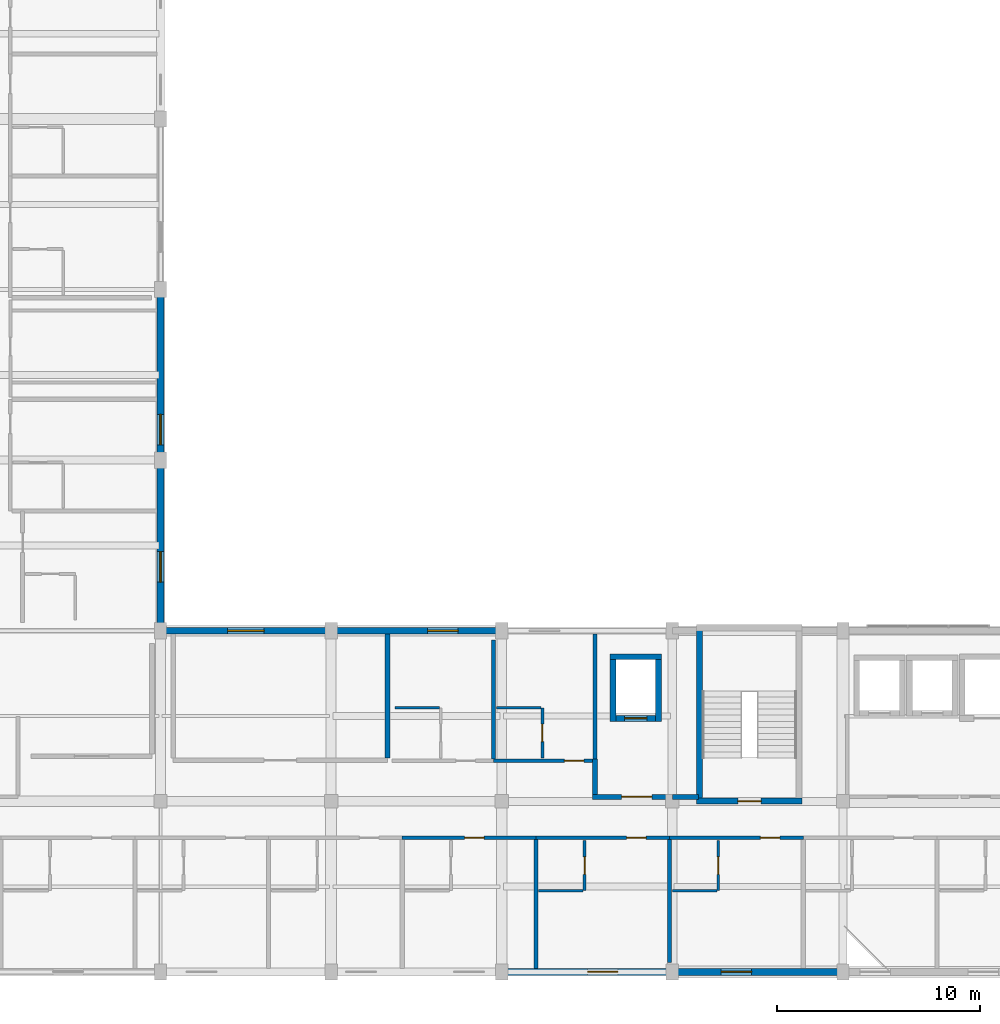
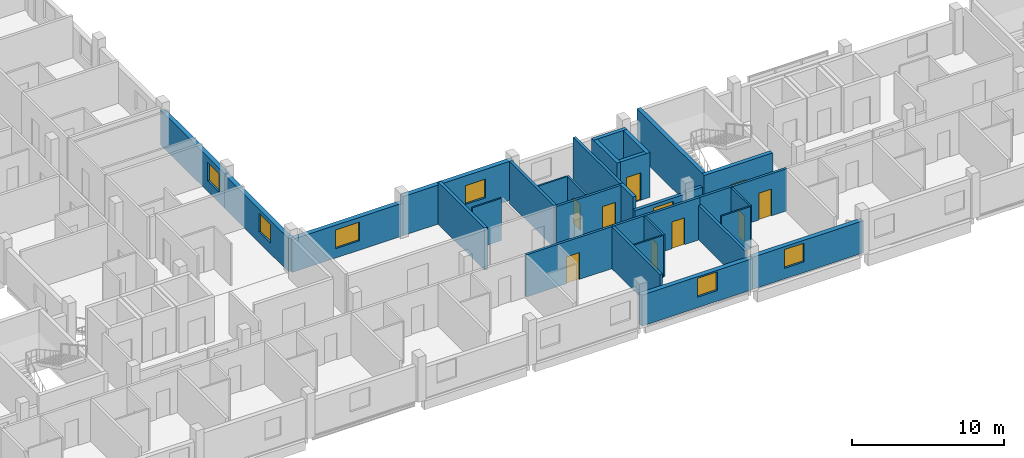
# One storey, part 15 of 26: 31 walls, 10 doors, 6 windows, 16 openings.
"""IFC4 building model written with IfcOpenShell, lengths in metres."""

from ifc_helpers import new_model, si_unit, derived_unit, direction, frame, frame_2d, origin, place, context, subcontext, project, spatial, rectangle, extrude, material, layer, layer_set, type_object, element, fill, save


model = new_model("IFC4")

# Units and contexts
model_context = context("Model", 3, precision=1e-05, world=origin(), true_north=direction((0.0, 1.0)))
body_context = subcontext(model_context, "Body", "Model", "MODEL_VIEW")
ifc_project = project(units=[si_unit("LENGTHUNIT", "METRE"), si_unit("AREAUNIT", "SQUARE_METRE"), si_unit("VOLUMEUNIT", "CUBIC_METRE"), si_unit("PLANEANGLEUNIT", "RADIAN"), si_unit("MASSUNIT", "GRAM", prefix="KILO"), derived_unit("THERMALTRANSMITTANCEUNIT", [(si_unit("POWERUNIT", "WATT"), 1), (si_unit("LENGTHUNIT", "METRE"), -2), (si_unit("THERMODYNAMICTEMPERATUREUNIT", "KELVIN"), -1)])], contexts=[model_context])

# Site, building, storey
site_placement = place(None, origin())
site = spatial("IfcSite", under=ifc_project, at=site_placement, CompositionType="ELEMENT")
building_placement = place(site_placement, origin())
building = spatial("IfcBuilding", under=site, at=building_placement, Name="Barrovel Congress Hotel", CompositionType="ELEMENT")
storey_placement = place(building_placement, frame((0.0, 0.0, 21.89990234375)))
storey = spatial("IfcBuildingStorey", under=building, at=storey_placement, Name="L05", CompositionType="ELEMENT", Elevation=21.89990234375)

# Wall, opening, window
ifc_material_1 = material(Name="Fired Clay Brick Masonry", Category="masonry")
ifc_layer_1 = layer(ifc_material_1, 0.340087890625)
ifc_layer_set_1 = layer_set([ifc_layer_1], Name="Fired Clay Brick Masonry")
wall_type_1 = type_object("IfcWallType", Name="EW-BRK340", PredefinedType="STANDARD", material=ifc_layer_set_1)
wall_1_placement = place(storey_placement, frame((67.199951171875, 4.199951171875, 0.0), z_axis=(0.0, 0.0, 1.0), x_axis=(1.0, 0.0, 0.0)))
wall_1 = element("IfcWall", 1, at=wall_1_placement, inside=storey, type_object=wall_type_1, Name="EW:L05:HS-S:P06", PredefinedType="STANDARD", context=body_context, shape_type="SweptSolid", body=[
    extrude(rectangle(XDim=8.400146484375, YDim=0.340087890625, at=frame_2d((4.2001953125, 0.0))), origin(), (0.0, 0.0, 1.0), 2.47998046875),
])
opening_1_placement = place(wall_1_placement, frame((4.22509765625, 0.0, 0.85009765625)))
opening_1 = element("IfcOpeningElement", 2, at=opening_1_placement, cuts=wall_1, Name="Opening WN-07", PredefinedType="OPENING", context=body_context, shape_type="SweptSolid", body=[
    extrude(rectangle(XDim=1.5, YDim=1.5, at=frame_2d((0.75, 0.75))), frame((0.0, 0.18017578125, 0.0), z_axis=(0.0, -1.0, 0.0), x_axis=(1.0, 0.0, 0.0)), (0.0, 0.0, 1.0), 0.360107421875),
])
ifc_material_2 = material(Name="Double Low-E Insulated Glazing", Category="glass")
window_type_1 = type_object("IfcWindowType", Name="WIN-WN-07", PartitioningType="SINGLE_PANEL", PredefinedType="WINDOW", material=ifc_material_2)
window_1_placement = place(opening_1_placement, origin())
window_1 = element("IfcWindow", 3, at=window_1_placement, inside=storey, type_object=window_type_1, Name="WIN:L05:U09", OverallHeight=1.5, OverallWidth=1.5, PartitioningType="SINGLE_PANEL", PredefinedType="WINDOW", context=body_context, shape_type="SweptSolid", body=[
    extrude(rectangle(XDim=1.5, YDim=1.5, at=frame_2d((0.75, 0.75))), frame((0.0, 0.030029296875, 0.0), z_axis=(0.0, -1.0, 0.0), x_axis=(1.0, 0.0, 0.0)), (0.0, 0.0, 1.0), 0.06005859375),
])
fill(opening_1, window_1)

wall_2_placement = place(storey_placement, frame((75.60009765625, 4.199951171875, 0.0), z_axis=(0.0, 0.0, 1.0), x_axis=(1.0, 0.0, 0.0)))
wall_2 = element("IfcWall", 4, at=wall_2_placement, inside=storey, type_object=wall_type_1, Name="EW:L05:HS-S:P07", PredefinedType="STANDARD", context=body_context, shape_type="SweptSolid", body=[
    extrude(rectangle(XDim=8.39990234375, YDim=0.340087890625, at=frame_2d((4.199951171875, 0.0))), origin(), (0.0, 0.0, 1.0), 2.580078125),
])
opening_2_placement = place(wall_2_placement, frame((2.408447265625, 0.0, 0.85009765625)))
opening_2 = element("IfcOpeningElement", 5, at=opening_2_placement, cuts=wall_2, Name="Opening WN-07", PredefinedType="OPENING", context=body_context, shape_type="SweptSolid", body=[
    extrude(rectangle(XDim=1.5, YDim=1.5, at=frame_2d((0.75, 0.75))), frame((0.0, 0.18017578125, 0.0), z_axis=(0.0, -1.0, 0.0), x_axis=(1.0, 0.0, 0.0)), (0.0, 0.0, 1.0), 0.360107421875),
])
window_2_placement = place(opening_2_placement, origin())
window_2 = element("IfcWindow", 6, at=window_2_placement, inside=storey, type_object=window_type_1, Name="WIN:L05:U10", OverallHeight=1.5, OverallWidth=1.5, PartitioningType="SINGLE_PANEL", PredefinedType="WINDOW", context=body_context, shape_type="SweptSolid", body=[
    extrude(rectangle(XDim=1.5, YDim=1.5, at=frame_2d((0.75, 0.75))), frame((0.0, 0.030029296875, 0.0), z_axis=(0.0, -1.0, 0.0), x_axis=(1.0, 0.0, 0.0)), (0.0, 0.0, 1.0), 0.06005859375),
])
fill(opening_2, window_2)

wall_3_placement = place(storey_placement, frame((67.199951171875, 21.0, 0.0), z_axis=(0.0, 0.0, 1.0), x_axis=(-1.0, 0.0, 0.0)))
wall_3 = element("IfcWall", 7, at=wall_3_placement, inside=storey, type_object=wall_type_1, Name="EW:L05:HS-NE-4:P03", PredefinedType="STANDARD", context=body_context, shape_type="SweptSolid", body=[
    extrude(rectangle(XDim=8.39990234375, YDim=0.340087890625, at=frame_2d((4.199951171875, 0.0))), origin(), (0.0, 0.0, 1.0), 3.133056640625),
])
opening_3_placement = place(wall_3_placement, frame((2.14990234375, 0.0, 0.85009765625)))
opening_3 = element("IfcOpeningElement", 8, at=opening_3_placement, cuts=wall_3, Name="Opening WN-07", PredefinedType="OPENING", context=body_context, shape_type="SweptSolid", body=[
    extrude(rectangle(XDim=1.5, YDim=1.5, at=frame_2d((0.75, 0.75))), frame((0.0, 0.18017578125, 0.0), z_axis=(0.0, -1.0, 0.0), x_axis=(1.0, 0.0, 0.0)), (0.0, 0.0, 1.0), 0.360107421875),
])
window_3_placement = place(opening_3_placement, origin())
window_3 = element("IfcWindow", 9, at=window_3_placement, inside=storey, type_object=window_type_1, Name="WIN:L05:U22", OverallHeight=1.5, OverallWidth=1.5, PartitioningType="SINGLE_PANEL", PredefinedType="WINDOW", context=body_context, shape_type="SweptSolid", body=[
    extrude(rectangle(XDim=1.5, YDim=1.5, at=frame_2d((0.75, 0.75))), frame((0.0, 0.030029296875, 0.0), z_axis=(0.0, -1.0, 0.0), x_axis=(1.0, 0.0, 0.0)), (0.0, 0.0, 1.0), 0.06005859375),
])
fill(opening_3, window_3)

wall_4_placement = place(storey_placement, frame((58.800048828125, 21.0, 0.0), z_axis=(0.0, 0.0, 1.0), x_axis=(-1.0, 0.0, 0.0)))
wall_4 = element("IfcWall", 10, at=wall_4_placement, inside=storey, type_object=wall_type_1, Name="EW:L05:HS-NE-4:P04", PredefinedType="STANDARD", context=body_context, shape_type="SweptSolid", body=[
    extrude(rectangle(XDim=8.400146484375, YDim=0.340087890625, at=frame_2d((4.2001953125, 0.0))), origin(), (0.0, 0.0, 1.0), 2.630126953125),
])
opening_4_placement = place(wall_4_placement, frame((3.300048828125, 0.0, 0.75)))
opening_4 = element("IfcOpeningElement", 11, at=opening_4_placement, cuts=wall_4, Name="Opening WN-08", PredefinedType="OPENING", context=body_context, shape_type="SweptSolid", body=[
    extrude(rectangle(XDim=1.800048828125, YDim=1.5, at=frame_2d((0.89990234375, 0.75))), frame((0.0, 0.18017578125, 0.0), z_axis=(0.0, -1.0, 0.0), x_axis=(1.0, 0.0, 0.0)), (0.0, 0.0, 1.0), 0.360107421875),
])
window_type_2 = type_object("IfcWindowType", Name="WIN-WN-08", PartitioningType="SINGLE_PANEL", PredefinedType="WINDOW", material=ifc_material_2)
window_4_placement = place(opening_4_placement, origin())
window_4 = element("IfcWindow", 12, at=window_4_placement, inside=storey, type_object=window_type_2, Name="WIN:L05:SALON", OverallHeight=1.5, OverallWidth=1.800048828125, PartitioningType="SINGLE_PANEL", PredefinedType="WINDOW", context=body_context, shape_type="SweptSolid", body=[
    extrude(rectangle(XDim=1.800048828125, YDim=1.5, at=frame_2d((0.89990234375, 0.75))), frame((0.0, 0.030029296875, 0.0), z_axis=(0.0, -1.0, 0.0), x_axis=(1.0, 0.0, 0.0)), (0.0, 0.0, 1.0), 0.06005859375),
])
fill(opening_4, window_4)

wall_5_placement = place(storey_placement, frame((50.39990234375, 21.0, 0.0), z_axis=(0.0, 0.0, 1.0), x_axis=(0.0, 1.0, 0.0)))
wall_5 = element("IfcWall", 13, at=wall_5_placement, inside=storey, type_object=wall_type_1, Name="EW:L05:HW-E-1:P01", PredefinedType="STANDARD", context=body_context, shape_type="SweptSolid", body=[
    extrude(rectangle(XDim=8.39990234375, YDim=0.340087890625, at=frame_2d((4.199951171875, 0.0))), origin(), (0.0, 0.0, 1.0), 2.68017578125),
])
opening_5_placement = place(wall_5_placement, frame((2.39990234375, 0.0, 0.85009765625)))
opening_5 = element("IfcOpeningElement", 14, at=opening_5_placement, cuts=wall_5, Name="Opening WN-07", PredefinedType="OPENING", context=body_context, shape_type="SweptSolid", body=[
    extrude(rectangle(XDim=1.5, YDim=1.5, at=frame_2d((0.75, 0.75))), frame((0.0, 0.18017578125, 0.0), z_axis=(0.0, -1.0, 0.0), x_axis=(1.0, 0.0, 0.0)), (0.0, 0.0, 1.0), 0.360107421875),
])
window_5_placement = place(opening_5_placement, origin())
window_5 = element("IfcWindow", 15, at=window_5_placement, inside=storey, type_object=window_type_1, Name="WIN:L05:U42", OverallHeight=1.5, OverallWidth=1.5, PartitioningType="SINGLE_PANEL", PredefinedType="WINDOW", context=body_context, shape_type="SweptSolid", body=[
    extrude(rectangle(XDim=1.5, YDim=1.5, at=frame_2d((0.75, 0.75))), frame((0.0, 0.030029296875, 0.0), z_axis=(0.0, -1.0, 0.0), x_axis=(1.0, 0.0, 0.0)), (0.0, 0.0, 1.0), 0.06005859375),
])
fill(opening_5, window_5)

wall_6_placement = place(storey_placement, frame((50.39990234375, 29.39990234375, 0.0), z_axis=(0.0, 0.0, 1.0), x_axis=(0.0, 1.0, 0.0)))
wall_6 = element("IfcWall", 16, at=wall_6_placement, inside=storey, type_object=wall_type_1, Name="EW:L05:HW-E-1:P02", PredefinedType="STANDARD", context=body_context, shape_type="SweptSolid", body=[
    extrude(rectangle(XDim=8.400146484375, YDim=0.340087890625, at=frame_2d((4.2001953125, 0.0))), origin(), (0.0, 0.0, 1.0), 2.780029296875),
])
opening_6_placement = place(wall_6_placement, frame((0.75, 0.0, 0.85009765625)))
opening_6 = element("IfcOpeningElement", 17, at=opening_6_placement, cuts=wall_6, Name="Opening WN-07", PredefinedType="OPENING", context=body_context, shape_type="SweptSolid", body=[
    extrude(rectangle(XDim=1.5, YDim=1.5, at=frame_2d((0.75, 0.75))), frame((0.0, 0.18017578125, 0.0), z_axis=(0.0, -1.0, 0.0), x_axis=(1.0, 0.0, 0.0)), (0.0, 0.0, 1.0), 0.360107421875),
])
window_6_placement = place(opening_6_placement, origin())
window_6 = element("IfcWindow", 18, at=window_6_placement, inside=storey, type_object=window_type_1, Name="WIN:L05:U43", OverallHeight=1.5, OverallWidth=1.5, PartitioningType="SINGLE_PANEL", PredefinedType="WINDOW", context=body_context, shape_type="SweptSolid", body=[
    extrude(rectangle(XDim=1.5, YDim=1.5, at=frame_2d((0.75, 0.75))), frame((0.0, 0.030029296875, 0.0), z_axis=(0.0, -1.0, 0.0), x_axis=(1.0, 0.0, 0.0)), (0.0, 0.0, 1.0), 0.06005859375),
])
fill(opening_6, window_6)

# Wall, opening, door
ifc_material_3 = material(Name="Gypsum Acoustic Stud", Category="gypsum")
ifc_layer_2 = layer(ifc_material_3, 0.179931640625)
ifc_layer_set_2 = layer_set([ifc_layer_2], Name="Gypsum Acoustic Stud")
wall_type_2 = type_object("IfcWallType", Name="PW-ACU-180", PredefinedType="PARTITIONING", material=ifc_layer_set_2)
wall_7_placement = place(storey_placement, frame((62.300048828125, 10.800048828125, 0.0), z_axis=(0.0, 0.0, 1.0), x_axis=(1.0, 0.0, 0.0)))
wall_7 = element("IfcWall", 19, at=wall_7_placement, inside=storey, type_object=wall_type_2, Name="PW:L05:U08:COR", PredefinedType="PARTITIONING", context=body_context, shape_type="SweptSolid", body=[
    extrude(rectangle(XDim=6.583251953125, YDim=0.179931640625, at=frame_2d((3.29150390625, 0.0))), origin(), (0.0, 0.0, 1.0), 3.375),
])
opening_7_placement = place(wall_7_placement, frame((3.068603515625, 0.0, 0.0)))
opening_7 = element("IfcOpeningElement", 20, at=opening_7_placement, cuts=wall_7, Name="Opening ID-HTL", PredefinedType="OPENING", context=body_context, shape_type="SweptSolid", body=[
    extrude(rectangle(XDim=0.9599609375, YDim=2.14990234375, at=frame_2d((0.47998046875, 1.074951171875))), frame((0.0, 0.10009765625, 0.0), z_axis=(0.0, -1.0, 0.0), x_axis=(1.0, 0.0, 0.0)), (0.0, 0.0, 1.0), 0.199951171875),
])
ifc_material_4 = material(Name="Solid Oak Acoustic Timber Door", Category="wood")
door_type_1 = type_object("IfcDoorType", Name="IDR-ID-HTL", OperationType="NOTDEFINED", PredefinedType="DOOR", material=ifc_material_4)
door_1_placement = place(opening_7_placement, origin())
door_1 = element("IfcDoor", 21, at=door_1_placement, inside=storey, type_object=door_type_1, Name="DR:L05:U08:ENT", OperationType="SINGLE_SWING_RIGHT", OverallHeight=2.14990234375, OverallWidth=0.9599609375, PredefinedType="DOOR", context=body_context, shape_type="SweptSolid", body=[
    extrude(rectangle(XDim=0.9599609375, YDim=2.14990234375, at=frame_2d((0.47998046875, 1.074951171875))), frame((0.0, 0.02490234375, 0.0), z_axis=(0.0, -1.0, 0.0), x_axis=(1.0, 0.0, 0.0)), (0.0, 0.0, 1.0), 0.050048828125),
])
fill(opening_7, door_1)

wall_8_placement = place(storey_placement, frame((68.88330078125, 10.800048828125, 0.0), z_axis=(0.0, 0.0, 1.0), x_axis=(1.0, 0.0, 0.0)))
wall_8 = element("IfcWall", 22, at=wall_8_placement, inside=storey, type_object=wall_type_2, Name="PW:L05:U09:COR", PredefinedType="PARTITIONING", context=body_context, shape_type="SweptSolid", body=[
    extrude(rectangle(XDim=6.58349609375, YDim=0.179931640625, at=frame_2d((3.291748046875, 0.0))), origin(), (0.0, 0.0, 1.0), 3.375),
])
opening_8_placement = place(wall_8_placement, frame((4.46875, 0.0, 0.0)))
opening_8 = element("IfcOpeningElement", 23, at=opening_8_placement, cuts=wall_8, Name="Opening ID-HTL", PredefinedType="OPENING", context=body_context, shape_type="SweptSolid", body=[
    extrude(rectangle(XDim=0.9599609375, YDim=2.14990234375, at=frame_2d((0.47998046875, 1.074951171875))), frame((0.0, 0.10009765625, 0.0), z_axis=(0.0, -1.0, 0.0), x_axis=(1.0, 0.0, 0.0)), (0.0, 0.0, 1.0), 0.199951171875),
])
door_2_placement = place(opening_8_placement, origin())
door_2 = element("IfcDoor", 24, at=door_2_placement, inside=storey, type_object=door_type_1, Name="DR:L05:U09:ENT", OperationType="SINGLE_SWING_RIGHT", OverallHeight=2.14990234375, OverallWidth=0.9599609375, PredefinedType="DOOR", context=body_context, shape_type="SweptSolid", body=[
    extrude(rectangle(XDim=0.9599609375, YDim=2.14990234375, at=frame_2d((0.47998046875, 1.074951171875))), frame((0.0, 0.02490234375, 0.0), z_axis=(0.0, -1.0, 0.0), x_axis=(1.0, 0.0, 0.0)), (0.0, 0.0, 1.0), 0.050048828125),
])
fill(opening_8, door_2)

wall_9_placement = place(storey_placement, frame((75.466796875, 10.800048828125, 0.0), z_axis=(0.0, 0.0, 1.0), x_axis=(1.0, 0.0, 0.0)))
wall_9 = element("IfcWall", 25, at=wall_9_placement, inside=storey, type_object=wall_type_2, Name="PW:L05:U10:COR", PredefinedType="PARTITIONING", context=body_context, shape_type="SweptSolid", body=[
    extrude(rectangle(XDim=6.583251953125, YDim=0.179931640625, at=frame_2d((3.29150390625, 0.0))), origin(), (0.0, 0.0, 1.0), 3.375),
])
opening_9_placement = place(wall_9_placement, frame((4.468505859375, 0.0, 0.0)))
opening_9 = element("IfcOpeningElement", 26, at=opening_9_placement, cuts=wall_9, Name="Opening ID-HTL", PredefinedType="OPENING", context=body_context, shape_type="SweptSolid", body=[
    extrude(rectangle(XDim=0.9599609375, YDim=2.14990234375, at=frame_2d((0.47998046875, 1.074951171875))), frame((0.0, 0.10009765625, 0.0), z_axis=(0.0, -1.0, 0.0), x_axis=(1.0, 0.0, 0.0)), (0.0, 0.0, 1.0), 0.199951171875),
])
door_3_placement = place(opening_9_placement, origin())
door_3 = element("IfcDoor", 27, at=door_3_placement, inside=storey, type_object=door_type_1, Name="DR:L05:U10:ENT", OperationType="SINGLE_SWING_RIGHT", OverallHeight=2.14990234375, OverallWidth=0.9599609375, PredefinedType="DOOR", context=body_context, shape_type="SweptSolid", body=[
    extrude(rectangle(XDim=0.9599609375, YDim=2.14990234375, at=frame_2d((0.47998046875, 1.074951171875))), frame((0.0, 0.02490234375, 0.0), z_axis=(0.0, -1.0, 0.0), x_axis=(1.0, 0.0, 0.0)), (0.0, 0.0, 1.0), 0.050048828125),
])
fill(opening_9, door_3)

wall_10_placement = place(storey_placement, frame((66.800048828125, 14.60009765625, 0.0), z_axis=(0.0, 0.0, 1.0), x_axis=(1.0, 0.0, 0.0)))
wall_10 = element("IfcWall", 28, at=wall_10_placement, inside=storey, type_object=wall_type_2, Name="PW:L05:U23:COR", PredefinedType="PARTITIONING", context=body_context, shape_type="SweptSolid", body=[
    extrude(rectangle(XDim=5.0, YDim=0.179931640625, at=frame_2d((2.5, 0.0))), origin(), (0.0, 0.0, 1.0), 3.375),
])
opening_10_placement = place(wall_10_placement, frame((3.487060546875, 0.0, 0.0)))
opening_10 = element("IfcOpeningElement", 29, at=opening_10_placement, cuts=wall_10, Name="Opening ID-HTL", PredefinedType="OPENING", context=body_context, shape_type="SweptSolid", body=[
    extrude(rectangle(XDim=0.9599609375, YDim=2.14990234375, at=frame_2d((0.47998046875, 1.074951171875))), frame((0.0, 0.10009765625, 0.0), z_axis=(0.0, -1.0, 0.0), x_axis=(1.0, 0.0, 0.0)), (0.0, 0.0, 1.0), 0.199951171875),
])
door_4_placement = place(opening_10_placement, origin())
door_4 = element("IfcDoor", 30, at=door_4_placement, inside=storey, type_object=door_type_1, Name="DR:L05:U23:ENT", OperationType="SINGLE_SWING_RIGHT", OverallHeight=2.14990234375, OverallWidth=0.9599609375, PredefinedType="DOOR", context=body_context, shape_type="SweptSolid", body=[
    extrude(rectangle(XDim=0.9599609375, YDim=2.14990234375, at=frame_2d((0.47998046875, 1.074951171875))), frame((0.0, 0.02490234375, 0.0), z_axis=(0.0, -1.0, 0.0), x_axis=(1.0, 0.0, 0.0)), (0.0, 0.0, 1.0), 0.050048828125),
])
fill(opening_10, door_4)

# Walls
ifc_layer_3 = layer(ifc_material_3, 0.1201171875)
ifc_layer_set_3 = layer_set([ifc_layer_3], Name="Gypsum Acoustic Stud")
wall_type_3 = type_object("IfcWallType", Name="PW-INT-120", PredefinedType="PARTITIONING", material=ifc_layer_set_3)
wall_11_placement = place(storey_placement, frame((69.023193359375, 8.199951171875, 0.0), z_axis=(0.0, 0.0, 1.0), x_axis=(1.0, 0.0, 0.0)))
element("IfcWall", 31, at=wall_11_placement, inside=storey, type_object=wall_type_3, Name="PW:L05:U09:B2", PredefinedType="PARTITIONING", context=body_context, shape_type="SweptSolid", body=[
    extrude(rectangle(XDim=2.190185546875, YDim=0.1201171875, at=frame_2d((1.09521484375, 0.0))), origin(), (0.0, 0.0, 1.0), 3.375),
])
for number, where, z_axis, x_axis, name in (
    (32, (75.606689453125, 8.199951171875, 0.0), (0.0, 0.0, 1.0), (1.0, 0.0, 0.0), "PW:L05:U10:B2"),
    (33, (61.93994140625, 17.199951171875, 0.0), (0.0, 0.0, 1.0), (1.0, 0.0, 0.0), "PW:L05:U22:B2"),
    (34, (66.93994140625, 17.199951171875, 0.0), (0.0, 0.0, 1.0), (1.0, 0.0, 0.0), "PW:L05:U23:B2"),
):
    element("IfcWall", number, at=place(storey_placement, frame(where, z_axis=z_axis, x_axis=x_axis)), inside=storey, type_object=wall_type_3, Name=name, PredefinedType="PARTITIONING", context=body_context, shape_type="SweptSolid", body=[
        extrude(rectangle(XDim=2.18994140625, YDim=0.1201171875, at=frame_2d((1.094970703125, 0.0))), origin(), (0.0, 0.0, 1.0), 3.375),
    ])
ifc_layer_4 = layer(ifc_material_1, 0.199951171875)
ifc_layer_set_4 = layer_set([ifc_layer_4], Name="Fired Clay Brick Masonry")
wall_type_4 = type_object("IfcWallType", Name="PW-MAS-200", PredefinedType="PARTITIONING", material=ifc_layer_set_4)
wall_12_placement = place(storey_placement, frame((68.88330078125, 4.3701171875, 0.0), z_axis=(0.0, 0.0, 1.0), x_axis=(0.0, 1.0, 0.0)))
element("IfcWall", 35, at=wall_12_placement, inside=storey, type_object=wall_type_4, Name="PW:L05:U08:DEM", PredefinedType="PARTITIONING", context=body_context, shape_type="SweptSolid", body=[
    extrude(rectangle(XDim=6.33984375, YDim=0.199951171875, at=frame_2d((3.169921875, 0.0))), origin(), (0.0, 0.0, 1.0), 3.375),
])
wall_13_placement = place(storey_placement, frame((75.466796875, 4.64990234375, 0.0), z_axis=(0.0, 0.0, 1.0), x_axis=(0.0, 1.0, 0.0)))
element("IfcWall", 36, at=wall_13_placement, inside=storey, type_object=wall_type_4, Name="PW:L05:U09:DEM", PredefinedType="PARTITIONING", context=body_context, shape_type="SweptSolid", body=[
    extrude(rectangle(XDim=6.06005859375, YDim=0.199951171875, at=frame_2d((3.030029296875, 0.0))), origin(), (0.0, 0.0, 1.0), 2.780029296875),
])
wall_14_placement = place(storey_placement, frame((66.800048828125, 14.68994140625, 0.0), z_axis=(0.0, 0.0, 1.0), x_axis=(0.0, 1.0, 0.0)))
element("IfcWall", 37, at=wall_14_placement, inside=storey, type_object=wall_type_4, Name="PW:L05:U22:DEM", PredefinedType="PARTITIONING", context=body_context, shape_type="SweptSolid", body=[
    extrude(rectangle(XDim=5.860107421875, YDim=0.199951171875, at=frame_2d((2.93017578125, 0.0))), origin(), (0.0, 0.0, 1.0), 3.375),
])
wall_15_placement = place(storey_placement, frame((71.800048828125, 14.68994140625, 0.0), z_axis=(0.0, 0.0, 1.0), x_axis=(0.0, 1.0, 0.0)))
element("IfcWall", 38, at=wall_15_placement, inside=storey, type_object=wall_type_4, Name="PW:L05:U23:DEM", PredefinedType="PARTITIONING", context=body_context, shape_type="SweptSolid", body=[
    extrude(rectangle(XDim=6.14013671875, YDim=0.199951171875, at=frame_2d((3.070068359375, 0.0))), origin(), (0.0, 0.0, 1.0), 3.375),
])

# Wall, opening, door
ifc_layer_5 = layer(ifc_material_1, 0.239990234375)
ifc_layer_set_5 = layer_set([ifc_layer_5], Name="Fired Clay Brick Masonry")
wall_type_5 = type_object("IfcWallType", Name="PW-MAS-240", PredefinedType="PARTITIONING", material=ifc_layer_set_5)
wall_16_placement = place(storey_placement, frame((71.679931640625, 12.820068359375, 0.0), z_axis=(0.0, 0.0, 1.0), x_axis=(1.0, 0.0, 0.0)))
wall_16 = element("IfcWall", 39, at=wall_16_placement, inside=storey, type_object=wall_type_5, Name="RW:SP:L05:FFL-2:S", PredefinedType="PARTITIONING", context=body_context, shape_type="SweptSolid", body=[
    extrude(rectangle(XDim=3.920166015625, YDim=0.239990234375, at=frame_2d((1.9599609375, 0.0))), origin(), (0.0, 0.0, 1.0), 2.43017578125),
])
opening_11_placement = place(wall_16_placement, frame((1.419921875, 0.0, 0.0)))
opening_11 = element("IfcOpeningElement", 40, at=opening_11_placement, cuts=wall_16, Name="Opening ID-FFL", PredefinedType="OPENING", context=body_context, shape_type="SweptSolid", body=[
    extrude(rectangle(XDim=1.5, YDim=2.14990234375, at=frame_2d((0.75, 1.074951171875))), frame((0.0, 0.1298828125, 0.0), z_axis=(0.0, -1.0, 0.0), x_axis=(1.0, 0.0, 0.0)), (0.0, 0.0, 1.0), 0.260009765625),
])
ifc_material_5 = material(Name="Painted Hollow-Metal Steel Door", Category="steel")
door_type_2 = type_object("IfcDoorType", Name="IDR-ID-FFL", OperationType="NOTDEFINED", PredefinedType="DOOR", material=ifc_material_5)
door_5_placement = place(opening_11_placement, origin())
door_5 = element("IfcDoor", 41, at=door_5_placement, inside=storey, type_object=door_type_2, Name="RD:SP:L05:FFL-2", OperationType="DOUBLE_DOOR_SINGLE_SWING", OverallHeight=2.14990234375, OverallWidth=1.5, PredefinedType="DOOR", context=body_context, shape_type="SweptSolid", body=[
    extrude(rectangle(XDim=1.5, YDim=2.14990234375, at=frame_2d((0.75, 1.074951171875))), frame((0.0, 0.02490234375, 0.0), z_axis=(0.0, -1.0, 0.0), x_axis=(1.0, 0.0, 0.0)), (0.0, 0.0, 1.0), 0.050048828125),
])
fill(opening_11, door_5)

# Walls
wall_17_placement = place(storey_placement, frame((71.800048828125, 12.93994140625, 0.0), z_axis=(0.0, 0.0, 1.0), x_axis=(0.0, 1.0, 0.0)))
element("IfcWall", 42, at=wall_17_placement, inside=storey, type_object=wall_type_5, Name="RW:SP:L05:FFL-2:W", PredefinedType="PARTITIONING", context=body_context, shape_type="SweptSolid", body=[
    extrude(rectangle(XDim=1.75, YDim=0.239990234375, at=frame_2d((0.875, 0.0))), origin(), (0.0, 0.0, 1.0), 3.375),
])
wall_18_placement = place(storey_placement, frame((61.580078125, 14.739990234375, 0.0), z_axis=(0.0, 0.0, 1.0), x_axis=(0.0, 1.0, 0.0)))
element("IfcWall", 43, at=wall_18_placement, inside=storey, type_object=wall_type_5, Name="RW:SP:L05:SALON:E", PredefinedType="PARTITIONING", context=body_context, shape_type="SweptSolid", body=[
    extrude(rectangle(XDim=6.090087890625, YDim=0.239990234375, at=frame_2d((3.044921875, 0.0))), origin(), (0.0, 0.0, 1.0), 3.375),
])
wall_19_placement = place(storey_placement, frame((75.60009765625, 12.820068359375, 0.0), z_axis=(0.0, 0.0, 1.0), x_axis=(1.0, 0.0, 0.0)))
element("IfcWall", 44, at=wall_19_placement, inside=storey, type_object=wall_type_5, Name="RW:SP:L05:FFL-2:S:P02", PredefinedType="PARTITIONING", context=body_context, shape_type="SweptSolid", body=[
    extrude(rectangle(XDim=1.27978515625, YDim=0.239990234375, at=frame_2d((0.639892578125, 0.0))), origin(), (0.0, 0.0, 1.0), 2.530029296875),
])

# Wall, opening, door
ifc_material_6 = material(Name="Gypsum Moisture Board", Category="gypsum")
ifc_layer_6 = layer(ifc_material_6, 0.139892578125)
ifc_layer_set_6 = layer_set([ifc_layer_6], Name="Gypsum Moisture Board")
wall_type_6 = type_object("IfcWallType", Name="PW-WET-140", PredefinedType="PARTITIONING", material=ifc_layer_set_6)
wall_20_placement = place(storey_placement, frame((71.283203125, 8.199951171875, 0.0), z_axis=(0.0, 0.0, 1.0), x_axis=(0.0, 1.0, 0.0)))
wall_20 = element("IfcWall", 45, at=wall_20_placement, inside=storey, type_object=wall_type_6, Name="PW:L05:U09:B1", PredefinedType="PARTITIONING", context=body_context, shape_type="SweptSolid", body=[
    extrude(rectangle(XDim=2.4599609375, YDim=0.139892578125, at=frame_2d((1.22998046875, 0.0))), origin(), (0.0, 0.0, 1.0), 3.375),
])
opening_12_placement = place(wall_20_placement, frame((0.800048828125, 0.0, 0.0)))
opening_12 = element("IfcOpeningElement", 46, at=opening_12_placement, cuts=wall_20, Name="Opening ID-ENS", PredefinedType="OPENING", context=body_context, shape_type="SweptSolid", body=[
    extrude(rectangle(XDim=0.860107421875, YDim=2.10009765625, at=frame_2d((0.43017578125, 1.050048828125))), frame((0.0, 0.080078125, 0.0), z_axis=(0.0, -1.0, 0.0), x_axis=(1.0, 0.0, 0.0)), (0.0, 0.0, 1.0), 0.159912109375),
])
ifc_material_7 = material(Name="Lacquered Timber Moisture Door", Category="wood")
door_type_3 = type_object("IfcDoorType", Name="IDR-ID-ENS", OperationType="NOTDEFINED", PredefinedType="DOOR", material=ifc_material_7)
door_6_placement = place(opening_12_placement, origin())
door_6 = element("IfcDoor", 47, at=door_6_placement, inside=storey, type_object=door_type_3, Name="DR:L05:U09:ENS", OperationType="SINGLE_SWING_LEFT", OverallHeight=2.10009765625, OverallWidth=0.860107421875, PredefinedType="DOOR", context=body_context, shape_type="SweptSolid", body=[
    extrude(rectangle(XDim=0.860107421875, YDim=2.10009765625, at=frame_2d((0.43017578125, 1.050048828125))), frame((0.0, 0.02490234375, 0.0), z_axis=(0.0, -1.0, 0.0), x_axis=(1.0, 0.0, 0.0)), (0.0, 0.0, 1.0), 0.050048828125),
])
fill(opening_12, door_6)

wall_21_placement = place(storey_placement, frame((77.86669921875, 8.199951171875, 0.0), z_axis=(0.0, 0.0, 1.0), x_axis=(0.0, 1.0, 0.0)))
wall_21 = element("IfcWall", 48, at=wall_21_placement, inside=storey, type_object=wall_type_6, Name="PW:L05:U10:B1", PredefinedType="PARTITIONING", context=body_context, shape_type="SweptSolid", body=[
    extrude(rectangle(XDim=2.4599609375, YDim=0.139892578125, at=frame_2d((1.22998046875, 0.0))), origin(), (0.0, 0.0, 1.0), 3.375),
])
opening_13_placement = place(wall_21_placement, frame((0.800048828125, 0.0, 0.0)))
opening_13 = element("IfcOpeningElement", 49, at=opening_13_placement, cuts=wall_21, Name="Opening ID-ENS", PredefinedType="OPENING", context=body_context, shape_type="SweptSolid", body=[
    extrude(rectangle(XDim=0.860107421875, YDim=2.10009765625, at=frame_2d((0.43017578125, 1.050048828125))), frame((0.0, 0.080078125, 0.0), z_axis=(0.0, -1.0, 0.0), x_axis=(1.0, 0.0, 0.0)), (0.0, 0.0, 1.0), 0.159912109375),
])
door_7_placement = place(opening_13_placement, origin())
door_7 = element("IfcDoor", 50, at=door_7_placement, inside=storey, type_object=door_type_3, Name="DR:L05:U10:ENS", OperationType="SINGLE_SWING_LEFT", OverallHeight=2.10009765625, OverallWidth=0.860107421875, PredefinedType="DOOR", context=body_context, shape_type="SweptSolid", body=[
    extrude(rectangle(XDim=0.860107421875, YDim=2.10009765625, at=frame_2d((0.43017578125, 1.050048828125))), frame((0.0, 0.02490234375, 0.0), z_axis=(0.0, -1.0, 0.0), x_axis=(1.0, 0.0, 0.0)), (0.0, 0.0, 1.0), 0.050048828125),
])
fill(opening_13, door_7)

wall_22_placement = place(storey_placement, frame((69.199951171875, 14.739990234375, 0.0), z_axis=(0.0, 0.0, 1.0), x_axis=(0.0, 1.0, 0.0)))
wall_22 = element("IfcWall", 51, at=wall_22_placement, inside=storey, type_object=wall_type_6, Name="PW:L05:U23:B1", PredefinedType="PARTITIONING", context=body_context, shape_type="SweptSolid", body=[
    extrude(rectangle(XDim=2.4599609375, YDim=0.139892578125, at=frame_2d((1.22998046875, 0.0))), origin(), (0.0, 0.0, 1.0), 3.375),
])
opening_14_placement = place(wall_22_placement, frame((0.800048828125, 0.0, 0.0)))
opening_14 = element("IfcOpeningElement", 52, at=opening_14_placement, cuts=wall_22, Name="Opening ID-ENS", PredefinedType="OPENING", context=body_context, shape_type="SweptSolid", body=[
    extrude(rectangle(XDim=0.860107421875, YDim=2.10009765625, at=frame_2d((0.43017578125, 1.050048828125))), frame((0.0, 0.080078125, 0.0), z_axis=(0.0, -1.0, 0.0), x_axis=(1.0, 0.0, 0.0)), (0.0, 0.0, 1.0), 0.159912109375),
])
door_8_placement = place(opening_14_placement, origin())
door_8 = element("IfcDoor", 53, at=door_8_placement, inside=storey, type_object=door_type_3, Name="DR:L05:U23:ENS", OperationType="SINGLE_SWING_LEFT", OverallHeight=2.10009765625, OverallWidth=0.860107421875, PredefinedType="DOOR", context=body_context, shape_type="SweptSolid", body=[
    extrude(rectangle(XDim=0.860107421875, YDim=2.10009765625, at=frame_2d((0.43017578125, 1.050048828125))), frame((0.0, 0.02490234375, 0.0), z_axis=(0.0, -1.0, 0.0), x_axis=(1.0, 0.0, 0.0)), (0.0, 0.0, 1.0), 0.050048828125),
])
fill(opening_14, door_8)

ifc_material_8 = material(Name="Concrete C40", Category="concrete")
ifc_layer_7 = layer(ifc_material_8, 0.280029296875)
ifc_layer_set_7 = layer_set([ifc_layer_7], Name="Concrete C40")
wall_type_7 = type_object("IfcWallType", Name="SW-C40-280", PredefinedType="SHEAR", material=ifc_layer_set_7)
wall_23_placement = place(storey_placement, frame((72.5400390625, 16.679931640625, 0.0), z_axis=(0.0, 0.0, 1.0), x_axis=(1.0, 0.0, 0.0)))
wall_23 = element("IfcWall", 54, at=wall_23_placement, inside=storey, type_object=wall_type_7, Name="LSH:FL-2:L05:S", PredefinedType="SHEAR", context=body_context, shape_type="SweptSolid", body=[
    extrude(rectangle(XDim=2.52001953125, YDim=0.280029296875, at=frame_2d((1.260009765625, 0.0))), origin(), (0.0, 0.0, 1.0), 3.60009765625),
])
opening_15_placement = place(wall_23_placement, frame((0.7099609375, 0.0, 0.0)))
opening_15 = element("IfcOpeningElement", 55, at=opening_15_placement, cuts=wall_23, Name="Opening LD-FF", PredefinedType="OPENING", context=body_context, shape_type="SweptSolid", body=[
    extrude(rectangle(XDim=1.10009765625, YDim=2.199951171875, at=frame_2d((0.550048828125, 1.10009765625))), frame((0.0, 0.14990234375, 0.0), z_axis=(0.0, -1.0, 0.0), x_axis=(1.0, 0.0, 0.0)), (0.0, 0.0, 1.0), 0.300048828125),
])
ifc_material_9 = material(Name="Brushed Stainless Steel", Category="steel")
door_type_4 = type_object("IfcDoorType", Name="IDR-LD-FF", OperationType="NOTDEFINED", PredefinedType="DOOR", material=ifc_material_9)
door_9_placement = place(opening_15_placement, origin())
door_9 = element("IfcDoor", 56, at=door_9_placement, inside=storey, type_object=door_type_4, Name="Lift Landing Door LD-FL-2-L05", OperationType="SLIDING_TO_LEFT", OverallHeight=2.199951171875, OverallWidth=1.10009765625, PredefinedType="DOOR", context=body_context, shape_type="SweptSolid", body=[
    extrude(rectangle(XDim=1.10009765625, YDim=2.199951171875, at=frame_2d((0.550048828125, 1.10009765625))), frame((0.0, 0.02490234375, 0.0), z_axis=(0.0, -1.0, 0.0), x_axis=(1.0, 0.0, 0.0)), (0.0, 0.0, 1.0), 0.050048828125),
])
fill(opening_15, door_9)

# Walls
wall_24_placement = place(storey_placement, frame((74.919921875, 16.5400390625, 0.0), z_axis=(0.0, 0.0, 1.0), x_axis=(0.0, 1.0, 0.0)))
element("IfcWall", 57, at=wall_24_placement, inside=storey, type_object=wall_type_7, Name="LSH:FL-2:L05:E", PredefinedType="SHEAR", context=body_context, shape_type="SweptSolid", body=[
    extrude(rectangle(XDim=3.320068359375, YDim=0.280029296875, at=frame_2d((1.66015625, 0.0))), origin(), (0.0, 0.0, 1.0), 3.60009765625),
])
wall_25_placement = place(storey_placement, frame((75.06005859375, 19.719970703125, 0.0), z_axis=(0.0, 0.0, 1.0), x_axis=(-1.0, 0.0, 0.0)))
element("IfcWall", 58, at=wall_25_placement, inside=storey, type_object=wall_type_7, Name="LSH:FL-2:L05:N", PredefinedType="SHEAR", context=body_context, shape_type="SweptSolid", body=[
    extrude(rectangle(XDim=2.52001953125, YDim=0.280029296875, at=frame_2d((1.260009765625, 0.0))), origin(), (0.0, 0.0, 1.0), 3.60009765625),
])
wall_26_placement = place(storey_placement, frame((72.679931640625, 19.860107421875, 0.0), z_axis=(0.0, 0.0, 1.0), x_axis=(0.0, -1.0, 0.0)))
element("IfcWall", 59, at=wall_26_placement, inside=storey, type_object=wall_type_7, Name="LSH:FL-2:L05:W", PredefinedType="SHEAR", context=body_context, shape_type="SweptSolid", body=[
    extrude(rectangle(XDim=3.320068359375, YDim=0.280029296875, at=frame_2d((1.66015625, 0.0))), origin(), (0.0, 0.0, 1.0), 3.60009765625),
])

# Wall, opening, door
ifc_layer_8 = layer(ifc_material_8, 0.300048828125)
ifc_layer_set_8 = layer_set([ifc_layer_8], Name="Concrete C40")
wall_type_8 = type_object("IfcWallType", Name="SW-C40-300", PredefinedType="SHEAR", material=ifc_layer_set_8)
wall_27_placement = place(storey_placement, frame((76.800048828125, 12.610107421875, 0.0), z_axis=(0.0, 0.0, 1.0), x_axis=(1.0, 0.0, 0.0)))
wall_27 = element("IfcWall", 60, at=wall_27_placement, inside=storey, type_object=wall_type_8, Name="SHW:XS-02:L05:S", PredefinedType="SHEAR", context=body_context, shape_type="SweptSolid", body=[
    extrude(rectangle(XDim=5.199951171875, YDim=0.300048828125, at=frame_2d((2.60009765625, 0.0))), origin(), (0.0, 0.0, 1.0), 3.60009765625),
])
opening_16_placement = place(wall_27_placement, frame((2.02490234375, 0.0, 0.0)))
opening_16 = element("IfcOpeningElement", 61, at=opening_16_placement, cuts=wall_27, Name="Opening ID-ST1", PredefinedType="OPENING", context=body_context, shape_type="SweptSolid", body=[
    extrude(rectangle(XDim=1.14990234375, YDim=2.14990234375, at=frame_2d((0.574951171875, 1.074951171875))), frame((0.0, 0.16015625, 0.0), z_axis=(0.0, -1.0, 0.0), x_axis=(1.0, 0.0, 0.0)), (0.0, 0.0, 1.0), 0.320068359375),
])
door_type_5 = type_object("IfcDoorType", Name="IDR-ID-ST1", OperationType="NOTDEFINED", PredefinedType="DOOR", material=ifc_material_5)
door_10_placement = place(opening_16_placement, origin())
door_10 = element("IfcDoor", 62, at=door_10_placement, inside=storey, type_object=door_type_5, Name="Stair Core Fire Door XS-02-L05", OperationType="SINGLE_SWING_RIGHT", OverallHeight=2.14990234375, OverallWidth=1.14990234375, PredefinedType="DOOR", context=body_context, shape_type="SweptSolid", body=[
    extrude(rectangle(XDim=1.14990234375, YDim=2.14990234375, at=frame_2d((0.574951171875, 1.074951171875))), frame((0.0, 0.02490234375, 0.0), z_axis=(0.0, -1.0, 0.0), x_axis=(1.0, 0.0, 0.0)), (0.0, 0.0, 1.0), 0.050048828125),
])
fill(opening_16, door_10)

# Wall
wall_28_placement = place(storey_placement, frame((76.949951171875, 21.300048828125, 0.0), z_axis=(0.0, 0.0, 1.0), x_axis=(0.0, -1.0, 0.0)))
element("IfcWall", 63, at=wall_28_placement, inside=storey, type_object=wall_type_8, Name="SHW:XS-02:L05:W", PredefinedType="SHEAR", context=body_context, shape_type="SweptSolid", body=[
    extrude(rectangle(XDim=8.840087890625, YDim=0.300048828125, at=frame_2d((4.419921875, 0.0))), origin(), (0.0, 0.0, 1.0), 3.60009765625),
])

save(model, "model.ifc")
